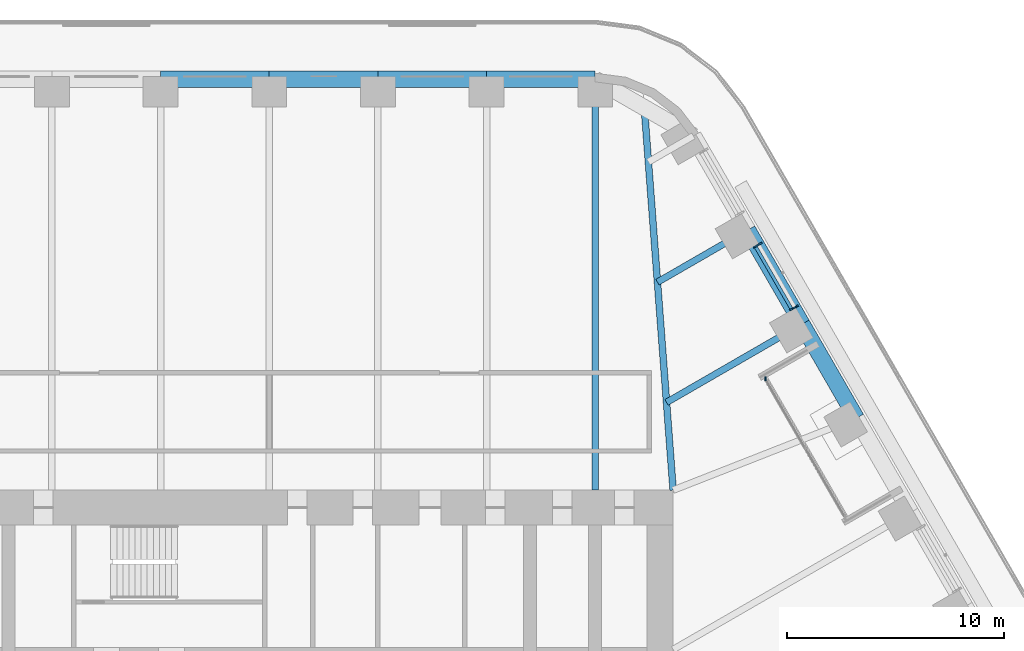
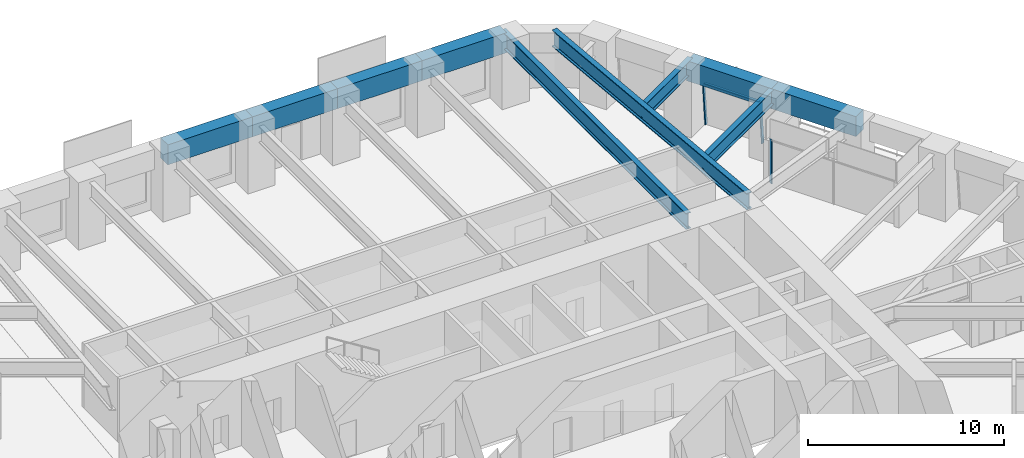
# One storey, part 12 of 24: 10 beams, 4 members, 2 elements without a shape of their own.
"""IFC4 building model written with IfcOpenShell, lengths in metres."""

from ifc_helpers import new_model, si_unit, direction, frame, origin, origin_2d, place, context, subcontext, project, spatial, rectangle, i_section, extrude, material, material_profile, profile_set, type_object, element, aggregate, save


model = new_model("IFC4")

# Units and contexts
model_context = context("Model", 3, precision=1e-05, world=origin(), true_north=direction((0.0, 1.0)))
body_context = subcontext(model_context, "Body", "Model", "MODEL_VIEW")
ifc_project = project(units=[si_unit("LENGTHUNIT", "METRE"), si_unit("AREAUNIT", "SQUARE_METRE"), si_unit("VOLUMEUNIT", "CUBIC_METRE"), si_unit("PLANEANGLEUNIT", "RADIAN"), si_unit("MASSUNIT", "GRAM", prefix="KILO")], contexts=[model_context])

# Site, building, storey
site_placement = place(None, origin())
site = spatial("IfcSite", under=ifc_project, at=site_placement, CompositionType="ELEMENT")
building_placement = place(site_placement, origin())
building = spatial("IfcBuilding", under=site, at=building_placement, Name="Tarfa Lantern Tower", CompositionType="ELEMENT")
storey_placement = place(building_placement, frame((0.0, 0.0, 161.5)))
storey = spatial("IfcBuildingStorey", under=building, at=storey_placement, Name="L36", CompositionType="ELEMENT", Elevation=161.5)

# Curtain wall, members
ifc_material_1 = material(Name="Aluminium framed curtain wall", Category="aluminium")
curtain_wall_type_1 = type_object("IfcCurtainWallType", Name="CW2 CANTED GLAZING MID ZONE 2750", PredefinedType="USERDEFINED", material=ifc_material_1)
curtain_wall_1_placement = place(storey_placement, origin())
curtain_wall_1 = element("IfcCurtainWall", 1, at=curtain_wall_1_placement, inside=storey, type_object=curtain_wall_type_1, Name="CW2 NEB L36", ObjectType="CURTAIN WALL", PredefinedType="USERDEFINED")
ifc_material_2 = material(Name="Aluminium mullion", Category="aluminium")
ifc_material_profile_1 = material_profile(ifc_material_2, rectangle(XDim=0.06494140625, YDim=0.199951171875, at=origin_2d()), Name="AL MULLION 65x200")
ifc_profile_set_1 = profile_set([ifc_material_profile_1], Name="Aluminium mullion")
member_type_1 = type_object("IfcMemberType", Name="CWM1 MULLION 65x200", PredefinedType="MULLION", material=ifc_profile_set_1)
member_1_placement = place(storey_placement, frame((24.275146484375, 20.75439453125, 0.0), z_axis=(-0.078422950161, -0.045267813396, 0.995891894715), x_axis=(0.499919672301, -0.866071776036, 0.0)))
member_1 = element("IfcMember", 2, at=member_1_placement, type_object=member_type_1, Name="CW2 mullion 1", PredefinedType="MULLION", context=body_context, shape_type="SweptSolid", body=[
    extrude(rectangle(XDim=0.06494140625, YDim=0.199951171875, at=origin_2d()), origin(), (0.0, 0.0, 1.0), 2.76123046875),
])
member_2_placement = place(storey_placement, frame((22.605712890625, 23.645751953125, 0.0), z_axis=(-0.078422950161, -0.045267813396, 0.995891894715), x_axis=(0.499919672301, -0.866071776036, 0.0)))
member_2 = element("IfcMember", 3, at=member_2_placement, type_object=member_type_1, Name="CW2 mullion 2", PredefinedType="MULLION", context=body_context, shape_type="SweptSolid", body=[
    extrude(rectangle(XDim=0.06494140625, YDim=0.199951171875, at=origin_2d()), origin(), (0.0, 0.0, 1.0), 2.76123046875),
])

# Curtain wall, member
curtain_wall_type_2 = type_object("IfcCurtainWallType", Name="CW10 LOGGIA GLAZING 2750", PredefinedType="USERDEFINED", material=ifc_material_1)
curtain_wall_2_placement = place(storey_placement, origin())
curtain_wall_2 = element("IfcCurtainWall", 4, at=curtain_wall_2_placement, inside=storey, type_object=curtain_wall_type_2, Name="CW10 NEL L36", ObjectType="CURTAIN WALL", PredefinedType="USERDEFINED")
member_3_placement = place(storey_placement, frame((22.84619140625, 17.429443359375, 0.0), z_axis=(0.0, 0.0, 1.0), x_axis=(1.0, 0.0, 0.0)))
member_3 = element("IfcMember", 5, at=member_3_placement, type_object=member_type_1, Name="CW10 mullion 3", PredefinedType="MULLION", context=body_context, shape_type="SweptSolid", body=[
    extrude(rectangle(XDim=0.06494140625, YDim=0.199951171875, at=origin_2d()), origin(), (0.0, 0.0, 1.0), 2.75),
])
aggregate(curtain_wall_2, [member_3])

# Member
ifc_material_3 = material(Name="Aluminium transom", Category="aluminium")
ifc_material_profile_2 = material_profile(ifc_material_3, rectangle(XDim=0.14990234375, YDim=0.06494140625, at=origin_2d()), Name="AL TRANSOM 150x65")
ifc_profile_set_2 = profile_set([ifc_material_profile_2], Name="Aluminium transom")
member_type_2 = type_object("IfcMemberType", Name="CWT1 TRANSOM 150x65", PredefinedType="USERDEFINED", material=ifc_profile_set_2)
member_4_placement = place(storey_placement, frame((24.044921875, 20.658935546875, 2.717529296875), z_axis=(-0.500012937857, 0.86601793398, 0.0), x_axis=(-0.86601793398, -0.500012937857, 0.0)))
member_4 = element("IfcMember", 6, at=member_4_placement, type_object=member_type_2, Name="CW2 transom 1.2", ObjectType="TRANSOM", PredefinedType="USERDEFINED", context=body_context, shape_type="SweptSolid", body=[
    extrude(rectangle(XDim=0.14990234375, YDim=0.06494140625, at=origin_2d()), origin(), (0.0, 0.0, 1.0), 3.27392578125),
])

aggregate(curtain_wall_1, [member_1, member_2, member_4])

# Beams
ifc_material_4 = material(Name="Concrete C80/95", Category="concrete")
ifc_material_profile_3 = material_profile(ifc_material_4, rectangle(XDim=0.75, YDim=1.25, at=origin_2d()), Name="RC 750x1250")
ifc_profile_set_3 = profile_set([ifc_material_profile_3], Name="Concrete C80/95")
beam_type_1 = type_object("IfcBeamType", Name="EB2 RC 750x1250", PredefinedType="SPANDREL", material=ifc_profile_set_3)
for number, where, z_axis, x_axis, name in (
    (7, (27.037353515625, 15.610107421875, 3.375), (-0.500022324899, 0.866012514114, 0.0), (-0.866012514114, -0.500022324899, 0.0), "Edge beam NE3"),
    (8, (24.535400390625, 19.943359375, 3.375), (-0.49998573051, 0.866033642122, 0.0), (-0.866033642122, -0.49998573051, 0.0), "Edge beam NE4"),
    (9, (15.010986328125, 31.219970703125, 3.375), (-1.0, 0.0, 0.0), (0.0, -1.0, 0.0), "Edge beam N0"),
    (10, (10.00732421875, 31.219970703125, 3.375), (-1.0, 0.0, 0.0), (0.0, -1.0, 0.0), "Edge beam N1"),
    (11, (5.003662109375, 31.219970703125, 3.375), (-1.0, 0.0, 0.0), (0.0, -1.0, 0.0), "Edge beam N2"),
    (12, (0.0, 31.219970703125, 3.375), (-1.0, 0.0, 0.0), (0.0, -1.0, 0.0), "Edge beam N3"),
):
    element("IfcBeam", number, at=place(storey_placement, frame(where, z_axis=z_axis, x_axis=x_axis)), inside=storey, type_object=beam_type_1, Name=name, PredefinedType="SPANDREL", context=body_context, shape_type="SweptSolid", body=[
        extrude(rectangle(XDim=0.75, YDim=1.25, at=origin_2d()), origin(), (0.0, 0.0, 1.0), 5.003662109375),
    ])
ifc_material_5 = material(Name="Steel S460M", Category="steel")
ifc_material_profile_4 = material_profile(ifc_material_5, i_section(OverallWidth=0.302001953125, OverallDepth=1.008056640625, WebThickness=0.02099609375, FlangeThickness=0.0400390625, FilletRadius=0.030029296875, at=origin_2d()), Name="UB1016x305x349")
ifc_profile_set_4 = profile_set([ifc_material_profile_4], Name="Steel S460M")
beam_type_2 = type_object("IfcBeamType", Name="UB1016x305x349", PredefinedType="BEAM", material=ifc_profile_set_4)
beam_1_placement = place(storey_placement, frame((15.010986328125, 31.219970703125, 3.495849609375), z_axis=(0.0, -1.0, 0.0), x_axis=(1.0, 0.0, 0.0)))
element("IfcBeam", 13, at=beam_1_placement, inside=storey, type_object=beam_type_2, Name="Floor beam N0", PredefinedType="BEAM", context=body_context, shape_type="SweptSolid", body=[
    extrude(i_section(OverallWidth=0.302001953125, OverallDepth=1.008056640625, WebThickness=0.02099609375, FlangeThickness=0.0400390625, FilletRadius=0.030029296875, at=origin_2d()), origin(), (0.0, 0.0, 1.0), 18.919921875),
])
ifc_material_profile_5 = material_profile(ifc_material_5, i_section(OverallWidth=0.30859375, OverallDepth=1.036376953125, WebThickness=0.030029296875, FlangeThickness=0.05419921875, FilletRadius=0.030029296875, at=origin_2d()), Name="UB1016x305x487")
ifc_profile_set_5 = profile_set([ifc_material_profile_5], Name="Steel S460M")
beam_type_3 = type_object("IfcBeamType", Name="UB1016x305x487", PredefinedType="BEAM", material=ifc_profile_set_5)
beam_2_placement = place(storey_placement, frame((18.60009765625, 12.300048828125, 3.48193359375), z_axis=(-0.075211516041, 0.99716760269, 0.0), x_axis=(-0.99716760269, -0.075211516041, 0.0)))
element("IfcBeam", 14, at=beam_2_placement, inside=storey, type_object=beam_type_3, Name="Hip girder NE", PredefinedType="BEAM", context=body_context, shape_type="SweptSolid", body=[
    extrude(i_section(OverallWidth=0.30859375, OverallDepth=1.036376953125, WebThickness=0.030029296875, FlangeThickness=0.05419921875, FilletRadius=0.030029296875, at=origin_2d()), origin(), (0.0, 0.0, 1.0), 17.6650390625),
])
ifc_material_profile_6 = material_profile(ifc_material_5, i_section(OverallWidth=0.305419921875, OverallDepth=0.91845703125, WebThickness=0.017333984375, FlangeThickness=0.02783203125, FilletRadius=0.01904296875, at=origin_2d()), Name="UB914x305x253")
ifc_profile_set_6 = profile_set([ifc_material_profile_6], Name="Steel S460M")
beam_type_4 = type_object("IfcBeamType", Name="UB914x305x253", PredefinedType="BEAM", material=ifc_profile_set_6)
beam_3_placement = place(storey_placement, frame((24.535400390625, 19.943359375, 3.540771484375), z_axis=(-0.86602647304, -0.499998147991, 0.0), x_axis=(0.499998147991, -0.86602647304, 0.0)))
element("IfcBeam", 15, at=beam_3_placement, inside=storey, type_object=beam_type_4, Name="Floor beam NE4", PredefinedType="BEAM", context=body_context, shape_type="SweptSolid", body=[
    extrude(i_section(OverallWidth=0.305419921875, OverallDepth=0.91845703125, WebThickness=0.017333984375, FlangeThickness=0.02783203125, FilletRadius=0.01904296875, at=origin_2d()), origin(), (0.0, 0.0, 1.0), 7.20556640625),
])
beam_4_placement = place(storey_placement, frame((22.03369140625, 24.276611328125, 3.540771484375), z_axis=(-0.866030550462, -0.499991085587, 0.0), x_axis=(0.499991085587, -0.866030550462, 0.0)))
element("IfcBeam", 16, at=beam_4_placement, inside=storey, type_object=beam_type_4, Name="Floor beam NE5", PredefinedType="BEAM", context=body_context, shape_type="SweptSolid", body=[
    extrude(i_section(OverallWidth=0.305419921875, OverallDepth=0.91845703125, WebThickness=0.017333984375, FlangeThickness=0.02783203125, FilletRadius=0.01904296875, at=origin_2d()), origin(), (0.0, 0.0, 1.0), 4.798828125),
])

save(model, "model.ifc")
